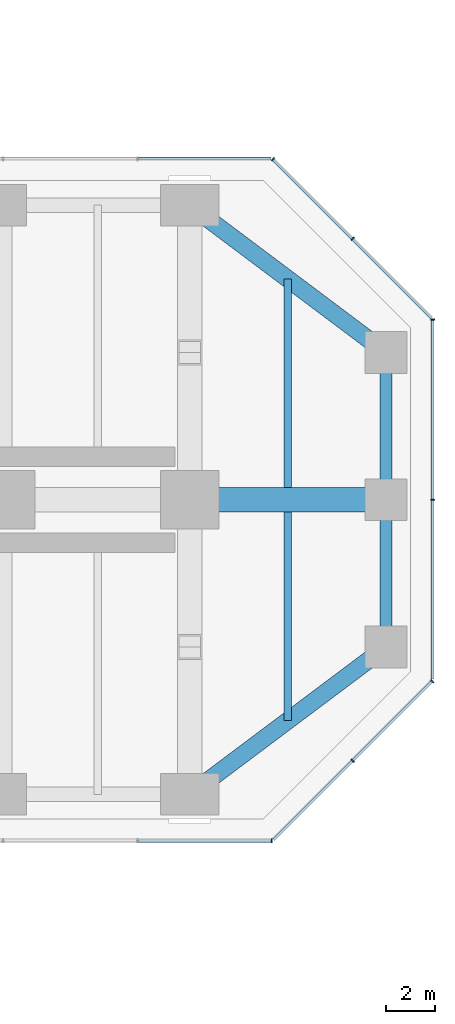
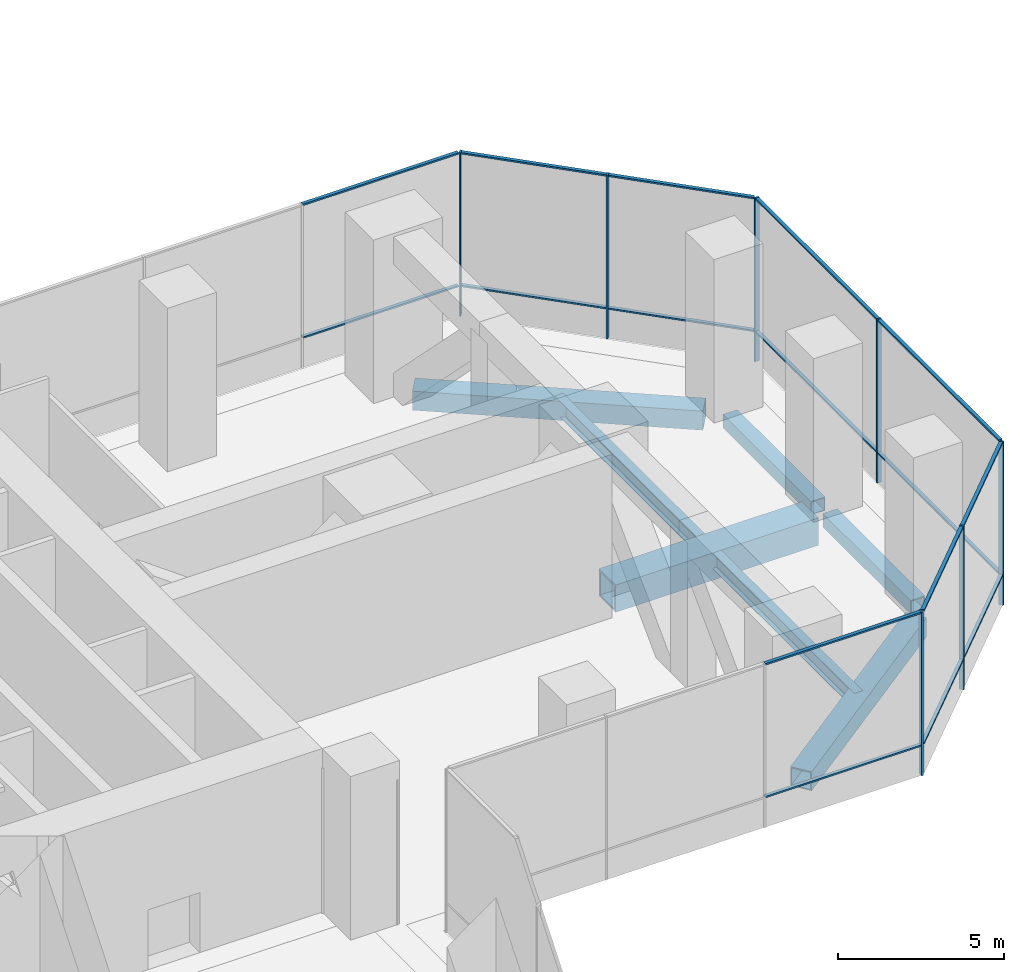
# One storey, part 11 of 20: 23 members, 7 beams, 5 elements without a shape of their own.
"""IFC4 building model written with IfcOpenShell, lengths in metres."""

import ifcopenshell
import ifcopenshell.guid

model = None  # the IFC model being written
_history = None  # IfcOwnerHistory: only IFC2X3 demands one
_inside = {}  # id of a spatial element -> (the spatial element, [elements in it])
_under = {}  # id of a project, library or spatial element -> (it, [spatial elements below it])
_declared = {}  # id of a project -> (the project, [libraries it declares])
_typed = {}  # id of a type object -> (the type object, [elements of that type])
_made_of = {}  # id of a material, layer set ... -> (it, [elements and type objects made of it])


def new_model(schema):
    """Start an empty IFC model of exactly this schema.

    Asked for "IFC4X3", IfcOpenShell would pick the latest addendum, in which some entities
    have other attributes; the version numbers below select the first issue.
    IFC2X3 requires an IfcOwnerHistory on every rooted entity: one is made here for all.
    """
    global model, _history
    if schema == "IFC4X3":
        model = ifcopenshell.file(schema_version=(4, 3, 0, 0))
    else:
        model = ifcopenshell.file(schema=schema)
    _inside.clear()
    _under.clear()
    _declared.clear()
    _typed.clear()
    _made_of.clear()
    _history = None
    if model.schema == "IFC2X3":
        org = make("IfcOrganization", Name="unknown")
        user = make(
            "IfcPersonAndOrganization",
            ThePerson=make("IfcPerson", FamilyName="unknown"),
            TheOrganization=org,
        )
        app = make(
            "IfcApplication",
            ApplicationDeveloper=org,
            Version="unknown",
            ApplicationFullName="unknown",
            ApplicationIdentifier="unknown",
        )
        _history = make(
            "IfcOwnerHistory",
            OwningUser=user,
            OwningApplication=app,
            ChangeAction="ADDED",
            CreationDate=0,
        )
    return model


def make(cls, **values):
    """One entity of the class cls with the attributes given. An attribute that is None is left unset."""
    return model.create_entity(
        cls, **{name: value for name, value in values.items() if value is not None}
    )


def rooted(cls, **values):
    """An entity with a GlobalId (a new one), such as an element, a storey or a relation."""
    return make(cls, GlobalId=ifcopenshell.guid.new(), OwnerHistory=_history, **values)


def si_unit(unit_type, name, prefix=None):
    """IfcSIUnit, for example si_unit("LENGTHUNIT", "METRE", prefix="MILLI")."""
    return make("IfcSIUnit", UnitType=unit_type, Prefix=prefix, Name=name)


def assignment(units):
    """IfcUnitAssignment: the units of a project."""
    return None if units is None else make("IfcUnitAssignment", Units=units)


def point(xyz):
    """IfcCartesianPoint."""
    return None if xyz is None else make("IfcCartesianPoint", Coordinates=xyz)


def direction(xyz):
    """IfcDirection."""
    return None if xyz is None else make("IfcDirection", DirectionRatios=xyz)


def frame(location, z_axis=None, x_axis=None):
    """IfcAxis2Placement3D, a coordinate frame: its origin and axes. An axis left out is left unset."""
    return make(
        "IfcAxis2Placement3D",
        Location=point(location),
        Axis=direction(z_axis),
        RefDirection=direction(x_axis),
    )


def frame_2d(location, x_axis=None):
    """IfcAxis2Placement2D, a coordinate frame in the plane: its origin and x axis."""
    return make(
        "IfcAxis2Placement2D", Location=point(location), RefDirection=direction(x_axis)
    )


def origin():
    """The frame at (0, 0, 0) with its axes left unset."""
    return frame((0.0, 0.0, 0.0))


def origin_2d():
    """The frame at (0, 0) in the plane with its x axis left unset."""
    return frame_2d((0.0, 0.0))


def place(relative_to, where):
    """IfcLocalPlacement: puts the frame where relative to a parent placement (None: the world)."""
    return make(
        "IfcLocalPlacement", PlacementRelTo=relative_to, RelativePlacement=where
    )


def context(
    kind, dimensions, precision=None, world=None, true_north=None, identifier=None
):
    """IfcGeometricRepresentationContext, for example the 3D "Model" context."""
    return make(
        "IfcGeometricRepresentationContext",
        ContextIdentifier=identifier,
        ContextType=kind,
        CoordinateSpaceDimension=dimensions,
        Precision=precision,
        WorldCoordinateSystem=world,
        TrueNorth=true_north,
    )


def subcontext(parent, identifier, kind, view, scale=None):
    """IfcGeometricRepresentationSubContext, for example "Body" below "Model"."""
    return make(
        "IfcGeometricRepresentationSubContext",
        ContextIdentifier=identifier,
        ContextType=kind,
        ParentContext=parent,
        TargetScale=scale,
        TargetView=view,
    )


def project(units=None, contexts=None):
    """IfcProject with its units and contexts."""
    return rooted(
        "IfcProject",
        Name="project",
        RepresentationContexts=contexts,
        UnitsInContext=assignment(units),
    )


def spatial(cls, under=None, at=None, **own):
    """A site, building, storey or space (cls), placed at a placement, below another one or the project."""
    s = rooted(cls, ObjectPlacement=at, **own)
    if under is not None:
        _under.setdefault(under.id(), (under, []))[1].append(s)
    return s


def profile(cls, at=None, kind="AREA", **sizes):
    """A parametric profile (cls). Its sizes go by their IFC names, for example OverallWidth=200.0."""
    return make(cls, ProfileType=kind, Position=at, **sizes)


def rectangle(**sizes):
    """IfcRectangleProfileDef."""
    return profile("IfcRectangleProfileDef", **sizes)


def hollow_rectangle(**sizes):
    """IfcRectangleHollowProfileDef."""
    return profile("IfcRectangleHollowProfileDef", **sizes)


def i_section(**sizes):
    """IfcIShapeProfileDef."""
    return profile("IfcIShapeProfileDef", **sizes)


def extrude(swept, where, along, depth):
    """IfcExtrudedAreaSolid: the profile swept, set in the frame where, extruded along a direction by depth."""
    return make(
        "IfcExtrudedAreaSolid",
        SweptArea=swept,
        Position=where,
        ExtrudedDirection=direction(along),
        Depth=depth,
    )


def shape(context_of_items, identifier, shape_type, items):
    """IfcShapeRepresentation: the items that make up one representation, for example the "Body"."""
    return make(
        "IfcShapeRepresentation",
        ContextOfItems=context_of_items,
        RepresentationIdentifier=identifier,
        RepresentationType=shape_type,
        Items=items,
    )


def material(Name=None, Category=None):
    """IfcMaterial."""
    return make("IfcMaterial", Name=Name, Category=Category)


def material_profile(
    of_material, cross_section, Name=None, Category=None, Priority=None
):
    """IfcMaterialProfile: a cross section and its material."""
    return make(
        "IfcMaterialProfile",
        Name=Name,
        Material=of_material,
        Profile=cross_section,
        Priority=Priority,
        Category=Category,
    )


def profile_set(profiles, Name=None, composite=None):
    """IfcMaterialProfileSet."""
    return make(
        "IfcMaterialProfileSet",
        Name=Name,
        MaterialProfiles=profiles,
        CompositeProfile=composite,
    )


def made_of(thing, what):
    """Note that an element or type object is made of a material, layer set ...; save() writes the relation."""
    if what is not None:
        _made_of.setdefault(what.id(), (what, []))[1].append(thing)
    return thing


def type_object(cls, material=None, **own):
    """A type object (cls), such as IfcWallType, which elements share."""
    return made_of(rooted(cls, **own), material)


def element(
    cls,
    number,
    at=None,
    inside=None,
    cuts=None,
    type_object=None,
    material=None,
    context=None,
    identifier="Body",
    shape_type=None,
    held_by="IfcProductDefinitionShape",
    body=None,
    shapes=None,
    **own,
):
    """One element of the class cls, such as IfcWall. Its Tag is "e" and its number.

    at: its placement. inside: the storey or other place that contains it. cuts: it is an
    opening in that element (IfcRelVoidsElement). A single representation is given by context,
    identifier, shape_type and body (its items); several are given by shapes. held_by: the class
    of the entity that holds the representations. save() writes the other relations.
    """
    e = rooted(cls, Tag="e%d" % number, ObjectPlacement=at, **own)
    if body is not None:
        shapes = [shape(context, identifier, shape_type, body)]
    if shapes is not None:
        e.Representation = make(held_by, Representations=shapes)
    if inside is not None:
        _inside.setdefault(inside.id(), (inside, []))[1].append(e)
    if cuts is not None:
        rooted(
            "IfcRelVoidsElement", RelatingBuildingElement=cuts, RelatedOpeningElement=e
        )
    if type_object is not None:
        _typed.setdefault(type_object.id(), (type_object, []))[1].append(e)
    return made_of(e, material)


def aggregate(whole, parts):
    """IfcRelAggregates: a whole, such as a stair, and the parts it consists of."""
    return rooted("IfcRelAggregates", RelatingObject=whole, RelatedObjects=parts)


def save(model, path):
    """Write the relations noted so far, then the file.

    IfcRelAggregates (storeys below a building ...), IfcRelContainedInSpatialStructure (elements
    in a storey), IfcRelDefinesByType, IfcRelAssociatesMaterial and IfcRelDeclares: one each for
    every whole, place, type object, material and project.
    """
    for whole, parts in _under.values():
        aggregate(whole, parts)
    for where, things in _inside.values():
        rooted(
            "IfcRelContainedInSpatialStructure",
            RelatedElements=things,
            RelatingStructure=where,
        )
    for kind, things in _typed.values():
        rooted("IfcRelDefinesByType", RelatedObjects=things, RelatingType=kind)
    for what, things in _made_of.values():
        rooted("IfcRelAssociatesMaterial", RelatedObjects=things, RelatingMaterial=what)
    for by, libraries in _declared.values():
        rooted("IfcRelDeclares", RelatingContext=by, RelatedDefinitions=libraries)
    model.write(path)


model = new_model("IFC4")

# Units and contexts
model_context = context("Model", 3, precision=1e-05, world=origin(), true_north=direction((0.0, 1.0)))
body_context = subcontext(model_context, "Body", "Model", "MODEL_VIEW")
ifc_project = project(units=[si_unit("LENGTHUNIT", "METRE"), si_unit("AREAUNIT", "SQUARE_METRE"), si_unit("VOLUMEUNIT", "CUBIC_METRE"), si_unit("PLANEANGLEUNIT", "RADIAN"), si_unit("MASSUNIT", "GRAM", prefix="KILO")], contexts=[model_context])

# Site, building, storey
site_placement = place(None, origin())
site = spatial("IfcSite", under=ifc_project, at=site_placement, CompositionType="ELEMENT")
building_placement = place(site_placement, origin())
building = spatial("IfcBuilding", under=site, at=building_placement, Name="Mizan Broadcast Tower", CompositionType="ELEMENT")
storey_placement = place(building_placement, frame((0.0, 0.0, 118.199951171875)))
storey = spatial("IfcBuildingStorey", under=building, at=storey_placement, Name="L26", CompositionType="ELEMENT", Elevation=118.199951171875)

# Beams
ifc_material_1 = material(Name="Steel S355", Category="steel")
ifc_material_profile_1 = material_profile(ifc_material_1, hollow_rectangle(XDim=0.5, YDim=0.5, WallThickness=0.030029296875, at=origin_2d()), Name="BOX 500x500x30")
ifc_profile_set_1 = profile_set([ifc_material_profile_1], Name="Steel S355")
beam_type_1 = type_object("IfcBeamType", Name="EDGE BEAM BOX 500x500x30", PredefinedType="SPANDREL", material=ifc_profile_set_1)
for number, where, z_axis, x_axis, name in (
    (1, (35.0, -5.639892578125, -0.429931640625), (0.0, 1.0, 0.0), (-1.0, 0.0, 0.0), "Edge beam BOX 500x500x30 L26 east arm"),
    (2, (35.0, 5.639892578125, -0.429931640625), (0.0, -1.0, 0.0), (1.0, 0.0, 0.0), "Edge beam BOX 500x500x30 L26 east arm"),
):
    element("IfcBeam", number, at=place(storey_placement, frame(where, z_axis=z_axis, x_axis=x_axis)), inside=storey, type_object=beam_type_1, Name=name, PredefinedType="SPANDREL", context=body_context, shape_type="SweptSolid", body=[
        extrude(hollow_rectangle(XDim=0.5, YDim=0.5, WallThickness=0.030029296875, at=origin_2d()), origin(), (0.0, 0.0, 1.0), 5.27978515625),
    ])
ifc_material_2 = material(Name="Steel S355", Category="steel")
ifc_material_profile_2 = material_profile(ifc_material_2, hollow_rectangle(XDim=0.699951171875, YDim=0.699951171875, WallThickness=0.0400390625, at=origin_2d()), Name="BOX 700x700x40")
ifc_profile_set_2 = profile_set([ifc_material_profile_2], Name="Steel S355")
beam_type_2 = type_object("IfcBeamType", Name="EDGE BEAM BOX 700x700x40", PredefinedType="SPANDREL", material=ifc_profile_set_2)
for number, where, z_axis, x_axis, name in (
    (3, (27.47998046875, -11.639892578125, -0.530029296875), (0.800013316712, 0.599982243973, 0.0), (-0.599982243973, 0.800013316712, 0.0), "Edge beam BOX 700x700x40 L26 east arm"),
    (4, (27.47998046875, 11.639892578125, -0.530029296875), (0.800013316712, -0.599982243973, 0.0), (0.599982243973, 0.800013316712, 0.0), "Edge beam BOX 700x700x40 L26 east arm"),
):
    element("IfcBeam", number, at=place(storey_placement, frame(where, z_axis=z_axis, x_axis=x_axis)), inside=storey, type_object=beam_type_2, Name=name, PredefinedType="SPANDREL", context=body_context, shape_type="SweptSolid", body=[
        extrude(hollow_rectangle(XDim=0.699951171875, YDim=0.699951171875, WallThickness=0.0400390625, at=origin_2d()), origin(), (0.0, 0.0, 1.0), 8.7998046875),
    ])
ifc_material_3 = material(Name="Steel S460", Category="steel")
ifc_material_profile_3 = material_profile(ifc_material_3, hollow_rectangle(XDim=1.0, YDim=1.0, WallThickness=0.080078125, at=origin_2d()), Name="BOX 1000x1000x80")
ifc_profile_set_3 = profile_set([ifc_material_profile_3], Name="Steel S460")
beam_type_3 = type_object("IfcBeamType", Name="GIRDER BOX 1000x1000x80", PredefinedType="BEAM", material=ifc_profile_set_3)
beam_placement = place(storey_placement, frame((27.47998046875, 0.0, -0.679931640625), z_axis=(1.0, 0.0, 0.0), x_axis=(0.0, 1.0, 0.0)))
element("IfcBeam", 5, at=beam_placement, inside=storey, type_object=beam_type_3, Name="Girder BOX 1000x1000x80 L26 east arm", PredefinedType="BEAM", context=body_context, shape_type="SweptSolid", body=[
    extrude(hollow_rectangle(XDim=1.0, YDim=1.0, WallThickness=0.080078125, at=origin_2d()), origin(), (0.0, 0.0, 1.0), 7.0400390625),
])

# Curtain wall, member
ifc_material_4 = material(Name="Aluminium framed glazing", Category="aluminium")
curtain_wall_type = type_object("IfcCurtainWallType", Name="PLANT LOUVRE", PredefinedType="USERDEFINED", material=ifc_material_4)
curtain_wall_1_placement = place(storey_placement, origin())
curtain_wall_1 = element("IfcCurtainWall", 6, at=curtain_wall_1_placement, inside=storey, type_object=curtain_wall_type, Name="Plant louvre L26 E side", ObjectType="PLANT LOUVRE", PredefinedType="USERDEFINED")
ifc_material_5 = material(Name="Aluminium, pale anodised", Category="aluminium")
ifc_material_profile_4 = material_profile(ifc_material_5, rectangle(XDim=0.159912109375, YDim=0.06005859375, at=origin_2d()), Name="MULLION 160x60")
ifc_profile_set_4 = profile_set([ifc_material_profile_4], Name="Aluminium, pale anodised")
member_type_1 = type_object("IfcMemberType", Name="INNER SKIN MULLION 60x160", PredefinedType="MULLION", material=ifc_profile_set_4)
member_1_placement = place(storey_placement, frame((30.3427734375, -13.89990234375, 0.0), z_axis=(0.0, 0.0, 1.0), x_axis=(0.0, 1.0, 0.0)))
member_1 = element("IfcMember", 7, at=member_1_placement, type_object=member_type_1, Name="Plant louvre L26 E side mullion 4", PredefinedType="MULLION", context=body_context, shape_type="SweptSolid", body=[
    extrude(rectangle(XDim=0.159912109375, YDim=0.06005859375, at=origin_2d()), origin(), (0.0, 0.0, 1.0), 6.0),
])

# Curtain wall, members
curtain_wall_2_placement = place(storey_placement, origin())
curtain_wall_2 = element("IfcCurtainWall", 8, at=curtain_wall_2_placement, inside=storey, type_object=curtain_wall_type, Name="Plant louvre L26 E chamfer", ObjectType="PLANT LOUVRE", PredefinedType="USERDEFINED")
member_2_placement = place(storey_placement, frame((33.636474609375, -10.636474609375, 0.0), z_axis=(0.0, 0.0, 1.0), x_axis=(-0.707106781187, 0.707106781187, 0.0)))
member_2 = element("IfcMember", 9, at=member_2_placement, type_object=member_type_1, Name="Plant louvre L26 E chamfer mullion 2", PredefinedType="MULLION", context=body_context, shape_type="SweptSolid", body=[
    extrude(rectangle(XDim=0.159912109375, YDim=0.06005859375, at=origin_2d()), origin(), (0.0, 0.0, 1.0), 6.0),
])
member_3_placement = place(storey_placement, frame((36.87890625, -7.39404296875, 0.0), z_axis=(0.0, 0.0, 1.0), x_axis=(-0.707106781187, 0.707106781187, 0.0)))
member_3 = element("IfcMember", 10, at=member_3_placement, type_object=member_type_1, Name="Plant louvre L26 E chamfer mullion 3", PredefinedType="MULLION", context=body_context, shape_type="SweptSolid", body=[
    extrude(rectangle(XDim=0.159912109375, YDim=0.06005859375, at=origin_2d()), origin(), (0.0, 0.0, 1.0), 6.0),
])

curtain_wall_3_placement = place(storey_placement, origin())
curtain_wall_3 = element("IfcCurtainWall", 11, at=curtain_wall_3_placement, inside=storey, type_object=curtain_wall_type, Name="Plant louvre L26 E end", ObjectType="PLANT LOUVRE", PredefinedType="USERDEFINED")
member_4_placement = place(storey_placement, frame((36.89990234375, 0.0, 0.0), z_axis=(0.0, 0.0, 1.0), x_axis=(-1.0, 0.0, 0.0)))
member_4 = element("IfcMember", 12, at=member_4_placement, type_object=member_type_1, Name="Plant louvre L26 E end mullion 2", PredefinedType="MULLION", context=body_context, shape_type="SweptSolid", body=[
    extrude(rectangle(XDim=0.159912109375, YDim=0.06005859375, at=origin_2d()), origin(), (0.0, 0.0, 1.0), 6.0),
])
member_5_placement = place(storey_placement, frame((36.89990234375, 7.3427734375, 0.0), z_axis=(0.0, 0.0, 1.0), x_axis=(-1.0, 0.0, 0.0)))
member_5 = element("IfcMember", 13, at=member_5_placement, type_object=member_type_1, Name="Plant louvre L26 E end mullion 3", PredefinedType="MULLION", context=body_context, shape_type="SweptSolid", body=[
    extrude(rectangle(XDim=0.159912109375, YDim=0.06005859375, at=origin_2d()), origin(), (0.0, 0.0, 1.0), 6.0),
])

curtain_wall_4_placement = place(storey_placement, origin())
curtain_wall_4 = element("IfcCurtainWall", 14, at=curtain_wall_4_placement, inside=storey, type_object=curtain_wall_type, Name="Plant louvre L26 E chamfer", ObjectType="PLANT LOUVRE", PredefinedType="USERDEFINED")
member_6_placement = place(storey_placement, frame((33.636474609375, 10.636474609375, 0.0), z_axis=(0.0, 0.0, 1.0), x_axis=(-0.707106781187, -0.707106781187, 0.0)))
member_6 = element("IfcMember", 15, at=member_6_placement, type_object=member_type_1, Name="Plant louvre L26 E chamfer mullion 2", PredefinedType="MULLION", context=body_context, shape_type="SweptSolid", body=[
    extrude(rectangle(XDim=0.159912109375, YDim=0.06005859375, at=origin_2d()), origin(), (0.0, 0.0, 1.0), 6.0),
])
member_7_placement = place(storey_placement, frame((30.39404296875, 13.87890625, 0.0), z_axis=(0.0, 0.0, 1.0), x_axis=(-0.707106781187, -0.707106781187, 0.0)))
member_7 = element("IfcMember", 16, at=member_7_placement, type_object=member_type_1, Name="Plant louvre L26 E chamfer mullion 3", PredefinedType="MULLION", context=body_context, shape_type="SweptSolid", body=[
    extrude(rectangle(XDim=0.159912109375, YDim=0.06005859375, at=origin_2d()), origin(), (0.0, 0.0, 1.0), 6.0),
])

# Member
ifc_material_6 = material(Name="Aluminium, pale anodised", Category="aluminium")
ifc_material_profile_5 = material_profile(ifc_material_6, rectangle(XDim=0.1201171875, YDim=0.06005859375, at=origin_2d()), Name="TRANSOM 120x60")
ifc_profile_set_5 = profile_set([ifc_material_profile_5], Name="Aluminium, pale anodised")
member_type_2 = type_object("IfcMemberType", Name="INNER SKIN TRANSOM 60x120", PredefinedType="USERDEFINED", material=ifc_profile_set_5)
member_8_placement = place(storey_placement, frame((24.911865234375, -13.89990234375, 1.10009765625), z_axis=(1.0, 0.0, 0.0), x_axis=(0.0, 1.0, 0.0)))
member_8 = element("IfcMember", 17, at=member_8_placement, type_object=member_type_2, Name="Plant louvre L26 E side transom 3.1", ObjectType="TRANSOM", PredefinedType="USERDEFINED", context=body_context, shape_type="SweptSolid", body=[
    extrude(rectangle(XDim=0.1201171875, YDim=0.06005859375, at=origin_2d()), origin(), (0.0, 0.0, 1.0), 5.40087890625),
])

member_9_placement = place(storey_placement, frame((24.911865234375, -13.89990234375, 5.969970703125), z_axis=(1.0, 0.0, 0.0), x_axis=(0.0, 1.0, 0.0)))
member_9 = element("IfcMember", 18, at=member_9_placement, type_object=member_type_2, Name="Plant louvre L26 E side transom 3.2", ObjectType="TRANSOM", PredefinedType="USERDEFINED", context=body_context, shape_type="SweptSolid", body=[
    extrude(rectangle(XDim=0.1201171875, YDim=0.06005859375, at=origin_2d()), origin(), (0.0, 0.0, 1.0), 5.40087890625),
])

aggregate(curtain_wall_1, [member_1, member_8, member_9])

member_10_placement = place(storey_placement, frame((30.415283203125, -13.857666015625, 1.10009765625), z_axis=(0.707106781187, 0.707106781187, 0.0), x_axis=(-0.707106781187, 0.707106781187, 0.0)))
member_10 = element("IfcMember", 19, at=member_10_placement, type_object=member_type_2, Name="Plant louvre L26 E chamfer transom 1.1", ObjectType="TRANSOM", PredefinedType="USERDEFINED", context=body_context, shape_type="SweptSolid", body=[
    extrude(rectangle(XDim=0.1201171875, YDim=0.06005859375, at=origin_2d()), origin(), (0.0, 0.0, 1.0), 4.525390625),
])

member_11_placement = place(storey_placement, frame((30.415283203125, -13.857666015625, 5.969970703125), z_axis=(0.707106781187, 0.707106781187, 0.0), x_axis=(-0.707106781187, 0.707106781187, 0.0)))
member_11 = element("IfcMember", 20, at=member_11_placement, type_object=member_type_2, Name="Plant louvre L26 E chamfer transom 1.2", ObjectType="TRANSOM", PredefinedType="USERDEFINED", context=body_context, shape_type="SweptSolid", body=[
    extrude(rectangle(XDim=0.1201171875, YDim=0.06005859375, at=origin_2d()), origin(), (0.0, 0.0, 1.0), 4.525390625),
])

member_12_placement = place(storey_placement, frame((33.65771484375, -10.615234375, 1.10009765625), z_axis=(0.707106781187, 0.707106781187, 0.0), x_axis=(-0.707106781187, 0.707106781187, 0.0)))
member_12 = element("IfcMember", 21, at=member_12_placement, type_object=member_type_2, Name="Plant louvre L26 E chamfer transom 2.1", ObjectType="TRANSOM", PredefinedType="USERDEFINED", context=body_context, shape_type="SweptSolid", body=[
    extrude(rectangle(XDim=0.1201171875, YDim=0.06005859375, at=origin_2d()), origin(), (0.0, 0.0, 1.0), 4.525390625),
])

member_13_placement = place(storey_placement, frame((33.65771484375, -10.615234375, 5.969970703125), z_axis=(0.707106781187, 0.707106781187, 0.0), x_axis=(-0.707106781187, 0.707106781187, 0.0)))
member_13 = element("IfcMember", 22, at=member_13_placement, type_object=member_type_2, Name="Plant louvre L26 E chamfer transom 2.2", ObjectType="TRANSOM", PredefinedType="USERDEFINED", context=body_context, shape_type="SweptSolid", body=[
    extrude(rectangle(XDim=0.1201171875, YDim=0.06005859375, at=origin_2d()), origin(), (0.0, 0.0, 1.0), 4.525390625),
])

aggregate(curtain_wall_2, [member_2, member_3, member_10, member_11, member_12, member_13])

member_14_placement = place(storey_placement, frame((36.89990234375, -7.312744140625, 1.10009765625), z_axis=(0.0, 1.0, 0.0), x_axis=(-1.0, 0.0, 0.0)))
member_14 = element("IfcMember", 23, at=member_14_placement, type_object=member_type_2, Name="Plant louvre L26 E end transom 1.1", ObjectType="TRANSOM", PredefinedType="USERDEFINED", context=body_context, shape_type="SweptSolid", body=[
    extrude(rectangle(XDim=0.1201171875, YDim=0.06005859375, at=origin_2d()), origin(), (0.0, 0.0, 1.0), 7.28271484375),
])

member_15_placement = place(storey_placement, frame((36.89990234375, -7.312744140625, 5.969970703125), z_axis=(0.0, 1.0, 0.0), x_axis=(-1.0, 0.0, 0.0)))
member_15 = element("IfcMember", 24, at=member_15_placement, type_object=member_type_2, Name="Plant louvre L26 E end transom 1.2", ObjectType="TRANSOM", PredefinedType="USERDEFINED", context=body_context, shape_type="SweptSolid", body=[
    extrude(rectangle(XDim=0.1201171875, YDim=0.06005859375, at=origin_2d()), origin(), (0.0, 0.0, 1.0), 7.28271484375),
])

member_16_placement = place(storey_placement, frame((36.89990234375, 0.030029296875, 1.10009765625), z_axis=(0.0, 1.0, 0.0), x_axis=(-1.0, 0.0, 0.0)))
member_16 = element("IfcMember", 25, at=member_16_placement, type_object=member_type_2, Name="Plant louvre L26 E end transom 2.1", ObjectType="TRANSOM", PredefinedType="USERDEFINED", context=body_context, shape_type="SweptSolid", body=[
    extrude(rectangle(XDim=0.1201171875, YDim=0.06005859375, at=origin_2d()), origin(), (0.0, 0.0, 1.0), 7.28271484375),
])

member_17_placement = place(storey_placement, frame((36.89990234375, 0.030029296875, 5.969970703125), z_axis=(0.0, 1.0, 0.0), x_axis=(-1.0, 0.0, 0.0)))
member_17 = element("IfcMember", 26, at=member_17_placement, type_object=member_type_2, Name="Plant louvre L26 E end transom 2.2", ObjectType="TRANSOM", PredefinedType="USERDEFINED", context=body_context, shape_type="SweptSolid", body=[
    extrude(rectangle(XDim=0.1201171875, YDim=0.06005859375, at=origin_2d()), origin(), (0.0, 0.0, 1.0), 7.28271484375),
])

aggregate(curtain_wall_3, [member_4, member_5, member_14, member_15, member_16, member_17])

member_18_placement = place(storey_placement, frame((36.857666015625, 7.415283203125, 1.10009765625), z_axis=(-0.707106781187, 0.707106781187, 0.0), x_axis=(-0.707106781187, -0.707106781187, 0.0)))
member_18 = element("IfcMember", 27, at=member_18_placement, type_object=member_type_2, Name="Plant louvre L26 E chamfer transom 1.1", ObjectType="TRANSOM", PredefinedType="USERDEFINED", context=body_context, shape_type="SweptSolid", body=[
    extrude(rectangle(XDim=0.1201171875, YDim=0.06005859375, at=origin_2d()), origin(), (0.0, 0.0, 1.0), 4.525390625),
])

member_19_placement = place(storey_placement, frame((36.857666015625, 7.415283203125, 5.969970703125), z_axis=(-0.707106781187, 0.707106781187, 0.0), x_axis=(-0.707106781187, -0.707106781187, 0.0)))
member_19 = element("IfcMember", 28, at=member_19_placement, type_object=member_type_2, Name="Plant louvre L26 E chamfer transom 1.2", ObjectType="TRANSOM", PredefinedType="USERDEFINED", context=body_context, shape_type="SweptSolid", body=[
    extrude(rectangle(XDim=0.1201171875, YDim=0.06005859375, at=origin_2d()), origin(), (0.0, 0.0, 1.0), 4.525390625),
])

member_20_placement = place(storey_placement, frame((33.615234375, 10.65771484375, 1.10009765625), z_axis=(-0.707106781187, 0.707106781187, 0.0), x_axis=(-0.707106781187, -0.707106781187, 0.0)))
member_20 = element("IfcMember", 29, at=member_20_placement, type_object=member_type_2, Name="Plant louvre L26 E chamfer transom 2.1", ObjectType="TRANSOM", PredefinedType="USERDEFINED", context=body_context, shape_type="SweptSolid", body=[
    extrude(rectangle(XDim=0.1201171875, YDim=0.06005859375, at=origin_2d()), origin(), (0.0, 0.0, 1.0), 4.525390625),
])

member_21_placement = place(storey_placement, frame((33.615234375, 10.65771484375, 5.969970703125), z_axis=(-0.707106781187, 0.707106781187, 0.0), x_axis=(-0.707106781187, -0.707106781187, 0.0)))
member_21 = element("IfcMember", 30, at=member_21_placement, type_object=member_type_2, Name="Plant louvre L26 E chamfer transom 2.2", ObjectType="TRANSOM", PredefinedType="USERDEFINED", context=body_context, shape_type="SweptSolid", body=[
    extrude(rectangle(XDim=0.1201171875, YDim=0.06005859375, at=origin_2d()), origin(), (0.0, 0.0, 1.0), 4.525390625),
])

aggregate(curtain_wall_4, [member_6, member_7, member_18, member_19, member_20, member_21])

# Curtain wall, members
curtain_wall_5_placement = place(storey_placement, origin())
curtain_wall_5 = element("IfcCurtainWall", 31, at=curtain_wall_5_placement, inside=storey, type_object=curtain_wall_type, Name="Plant louvre L26 E side", ObjectType="PLANT LOUVRE", PredefinedType="USERDEFINED")
member_22_placement = place(storey_placement, frame((30.312744140625, 13.89990234375, 1.10009765625), z_axis=(-1.0, 0.0, 0.0), x_axis=(0.0, -1.0, 0.0)))
member_22 = element("IfcMember", 32, at=member_22_placement, type_object=member_type_2, Name="Plant louvre L26 E side transom 1.1", ObjectType="TRANSOM", PredefinedType="USERDEFINED", context=body_context, shape_type="SweptSolid", body=[
    extrude(rectangle(XDim=0.1201171875, YDim=0.06005859375, at=origin_2d()), origin(), (0.0, 0.0, 1.0), 5.40087890625),
])
member_23_placement = place(storey_placement, frame((30.312744140625, 13.89990234375, 5.969970703125), z_axis=(-1.0, 0.0, 0.0), x_axis=(0.0, -1.0, 0.0)))
member_23 = element("IfcMember", 33, at=member_23_placement, type_object=member_type_2, Name="Plant louvre L26 E side transom 1.2", ObjectType="TRANSOM", PredefinedType="USERDEFINED", context=body_context, shape_type="SweptSolid", body=[
    extrude(rectangle(XDim=0.1201171875, YDim=0.06005859375, at=origin_2d()), origin(), (0.0, 0.0, 1.0), 5.40087890625),
])
aggregate(curtain_wall_5, [member_22, member_23])

# Beams
ifc_material_7 = material(Name="Steel S355", Category="steel")
ifc_material_profile_6 = material_profile(ifc_material_7, i_section(OverallWidth=0.300048828125, OverallDepth=0.590087890625, WebThickness=0.012939453125, FlangeThickness=0.02490234375, FilletRadius=0.027099609375, at=origin_2d()), Name="HEA 600")
ifc_profile_set_6 = profile_set([ifc_material_profile_6], Name="Steel S355")
beam_type_4 = type_object("IfcBeamType", Name="SECONDARY BEAM HEA 600", PredefinedType="JOIST", material=ifc_profile_set_6)
for number, where, z_axis, x_axis, name in (
    (34, (31.0, -9.0, -0.474853515625), (0.0, 1.0, 0.0), (-1.0, 0.0, 0.0), "Secondary beam HEA 600 L26 east arm"),
    (35, (31.0, 9.0, -0.474853515625), (0.0, -1.0, 0.0), (1.0, 0.0, 0.0), "Secondary beam HEA 600 L26 east arm"),
):
    element("IfcBeam", number, at=place(storey_placement, frame(where, z_axis=z_axis, x_axis=x_axis)), inside=storey, type_object=beam_type_4, Name=name, PredefinedType="JOIST", context=body_context, shape_type="SweptSolid", body=[
        extrude(i_section(OverallWidth=0.300048828125, OverallDepth=0.590087890625, WebThickness=0.012939453125, FlangeThickness=0.02490234375, FilletRadius=0.027099609375, at=origin_2d()), origin(), (0.0, 0.0, 1.0), 8.5),
    ])

save(model, "model.ifc")
